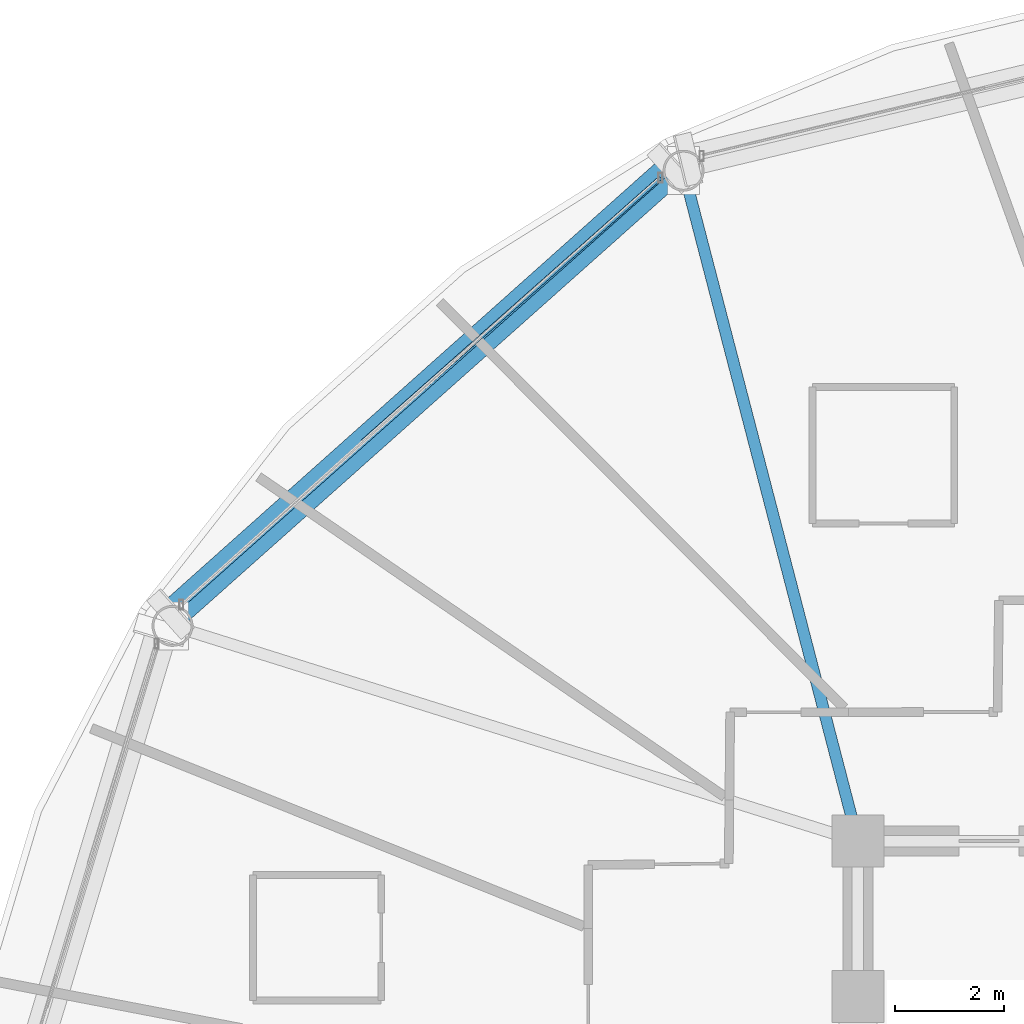
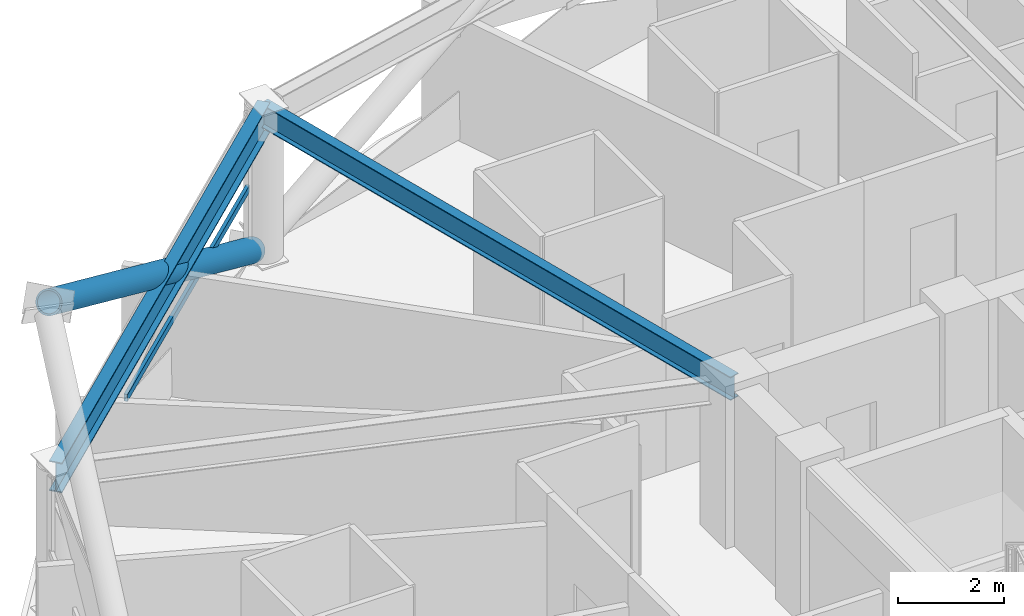
# One storey, part 14 of 32: 2 beams, 2 members, 1 element without a shape of its own.
"""IFC4 building model written with IfcOpenShell, lengths in metres."""

from ifc_helpers import new_model, si_unit, direction, frame, origin, origin_2d, place, context, subcontext, project, spatial, hollow_rectangle, hollow_circle, i_section, extrude, material, layer, layer_set, material_profile, profile_set, type_object, element, aggregate, save


model = new_model("IFC4")

# Units and contexts
model_context = context("Model", 3, precision=1e-05, world=origin(), true_north=direction((0.0, 1.0)))
body_context = subcontext(model_context, "Body", "Model", "MODEL_VIEW")
ifc_project = project(units=[si_unit("LENGTHUNIT", "METRE"), si_unit("AREAUNIT", "SQUARE_METRE"), si_unit("VOLUMEUNIT", "CUBIC_METRE"), si_unit("PLANEANGLEUNIT", "RADIAN"), si_unit("MASSUNIT", "GRAM", prefix="KILO")], contexts=[model_context])

# Site, building, storey
site_placement = place(None, origin())
site = spatial("IfcSite", under=ifc_project, at=site_placement, CompositionType="ELEMENT")
building_placement = place(site_placement, origin())
building = spatial("IfcBuilding", under=site, at=building_placement, Name="Vantalir Tower", CompositionType="ELEMENT")
storey_placement = place(building_placement, frame((0.0, 0.0, 104.699951171875)))
storey = spatial("IfcBuildingStorey", under=building, at=storey_placement, Name="L25", CompositionType="ELEMENT", Elevation=104.699951171875)

# Beams
ifc_material_1 = material(Name="Steel S355", Category="steel")
ifc_material_profile_1 = material_profile(ifc_material_1, i_section(OverallWidth=0.2109375, OverallDepth=0.5390625, WebThickness=0.01171875, FlangeThickness=0.018798828125, at=origin_2d()), Name="Steel S355")
ifc_profile_set_1 = profile_set([ifc_material_profile_1], Name="Steel S355")
beam_type_1 = type_object("IfcBeamType", Name="BM-RB-533x210", PredefinedType="BEAM", material=ifc_profile_set_1)
beam_1_placement = place(storey_placement, frame((18.7060546875, 44.735107421875, 3.300048828125), z_axis=(0.251612232967, -0.967828127418, 0.0), x_axis=(0.967828127418, 0.251612232967, 0.0)))
element("IfcBeam", 1, at=beam_1_placement, inside=storey, type_object=beam_type_1, Name="L25 Radial Floor Beam 05", PredefinedType="BEAM", context=body_context, shape_type="SweptSolid", body=[
    extrude(i_section(OverallWidth=0.2109375, OverallDepth=0.5390625, WebThickness=0.01171875, FlangeThickness=0.018798828125, at=origin_2d()), origin(), (0.0, 0.0, 1.0), 12.693603515625),
])
ifc_material_2 = material(Name="Steel S460", Category="steel")
ifc_material_profile_2 = material_profile(ifc_material_2, i_section(OverallWidth=0.256103515625, OverallDepth=0.693115234375, WebThickness=0.014404296875, FlangeThickness=0.023681640625, at=origin_2d()), Name="Steel S460")
ifc_profile_set_2 = profile_set([ifc_material_profile_2], Name="Steel S460")
beam_type_2 = type_object("IfcBeamType", Name="BM-RG-686x254", PredefinedType="USERDEFINED", material=ifc_profile_set_2)
beam_2_placement = place(storey_placement, frame((18.7060546875, 44.735107421875, 3.22314453125), z_axis=(-0.746784993974, -0.665065540211, 0.0), x_axis=(0.665065540211, -0.746784993974, 0.0)))
element("IfcBeam", 2, at=beam_2_placement, inside=storey, type_object=beam_type_2, Name="L25 Circumferential Ring Girder 05", ObjectType="GIRDER", PredefinedType="USERDEFINED", context=body_context, shape_type="SweptSolid", body=[
    extrude(i_section(OverallWidth=0.256103515625, OverallDepth=0.693115234375, WebThickness=0.014404296875, FlangeThickness=0.023681640625, at=origin_2d()), origin(), (0.0, 0.0, 1.0), 12.541748046875),
])

# Curtain wall, member
ifc_material_3 = material(Name="Champagne-silver PVDF aluminium and double-silver Low-E glass", Category="aluminium")
ifc_layer = layer(ifc_material_3, 0.199951171875)
ifc_layer_set = layer_set([ifc_layer], Name="Champagne-silver PVDF aluminium and double-silver Low-E glass")
curtain_wall_type = type_object("IfcCurtainWallType", Name="CW-DIAMOND-Z2", PredefinedType="USERDEFINED", material=ifc_layer_set)
curtain_wall_placement = place(storey_placement, origin())
curtain_wall = element("IfcCurtainWall", 3, at=curtain_wall_placement, inside=storey, type_object=curtain_wall_type, Name="L25 Quilted Pyramid-Diamond Curtain Wall S05", ObjectType="UNITISED CURTAIN WALL", PredefinedType="USERDEFINED")
ifc_material_4 = material(Name="Champagne-silver PVDF aluminium 6063-T6", Category="aluminium")
ifc_material_profile_3 = material_profile(ifc_material_4, hollow_rectangle(XDim=0.074951171875, YDim=0.159912109375, WallThickness=0.00390625, at=origin_2d()), Name="Champagne-silver PVDF aluminium 6063-T6")
ifc_profile_set_3 = profile_set([ifc_material_profile_3], Name="Champagne-silver PVDF aluminium 6063-T6")
member_type_1 = type_object("IfcMemberType", Name="CWT-160x75", PredefinedType="USERDEFINED", material=ifc_profile_set_3)
member_1_placement = place(storey_placement, frame((18.282958984375, 44.60693359375, 1.78515625), z_axis=(-0.74864132719, -0.662975235754, 0.0), x_axis=(0.662975235754, -0.74864132719, 0.0)))
member_1 = element("IfcMember", 4, at=member_1_placement, type_object=member_type_1, Name="CW-L25-S05 Pyramid Fold Ridge Transom", ObjectType="TRANSOM", PredefinedType="USERDEFINED", context=body_context, shape_type="SweptSolid", body=[
    extrude(hollow_rectangle(XDim=0.074951171875, YDim=0.159912109375, WallThickness=0.00390625, at=origin_2d()), origin(), (0.0, 0.0, 1.0), 7.295654296875),
])
aggregate(curtain_wall, [member_1])

# Member
ifc_material_profile_4 = material_profile(ifc_material_2, hollow_circle(Radius=0.260009765625, WallThickness=0.0380859375, at=origin_2d()), Name="Steel S460")
ifc_profile_set_4 = profile_set([ifc_material_profile_4], Name="Steel S460")
member_type_2 = type_object("IfcMemberType", Name="MEM-DB-520x38", PredefinedType="BRACE", material=ifc_profile_set_4)
member_2_placement = place(storey_placement, frame((18.468017578125, 44.77294921875, 0.18798828125), z_axis=(-0.649432518737, -0.579019850657, 0.492923336992), x_axis=(0.665484412794, -0.74641174718, 0.0)))
element("IfcMember", 5, at=member_2_placement, inside=storey, type_object=member_type_2, Name="L25 Perimeter S460 Diagrid Brace R13L", PredefinedType="BRACE", context=body_context, shape_type="SweptSolid", body=[
    extrude(hollow_circle(Radius=0.260009765625, WallThickness=0.0380859375, at=origin_2d()), origin(), (0.0, 0.0, 1.0), 14.087646484375),
])

save(model, "model.ifc")
